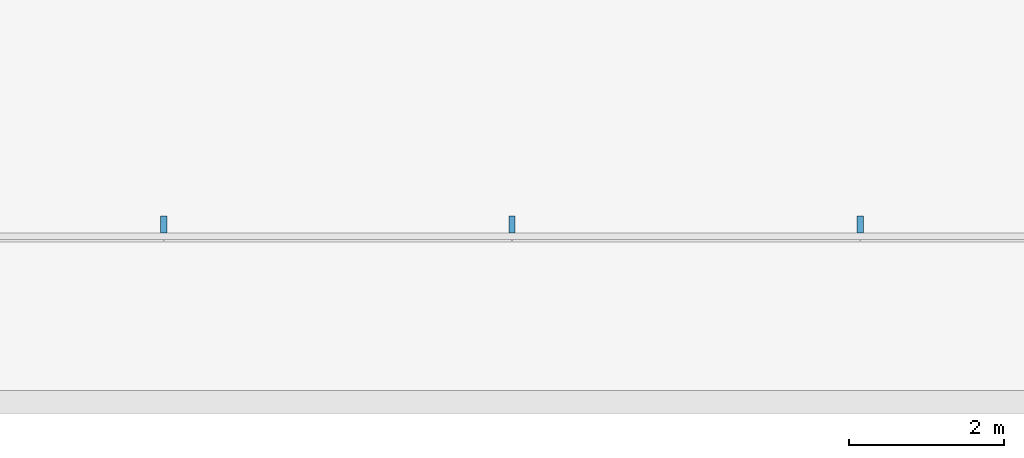
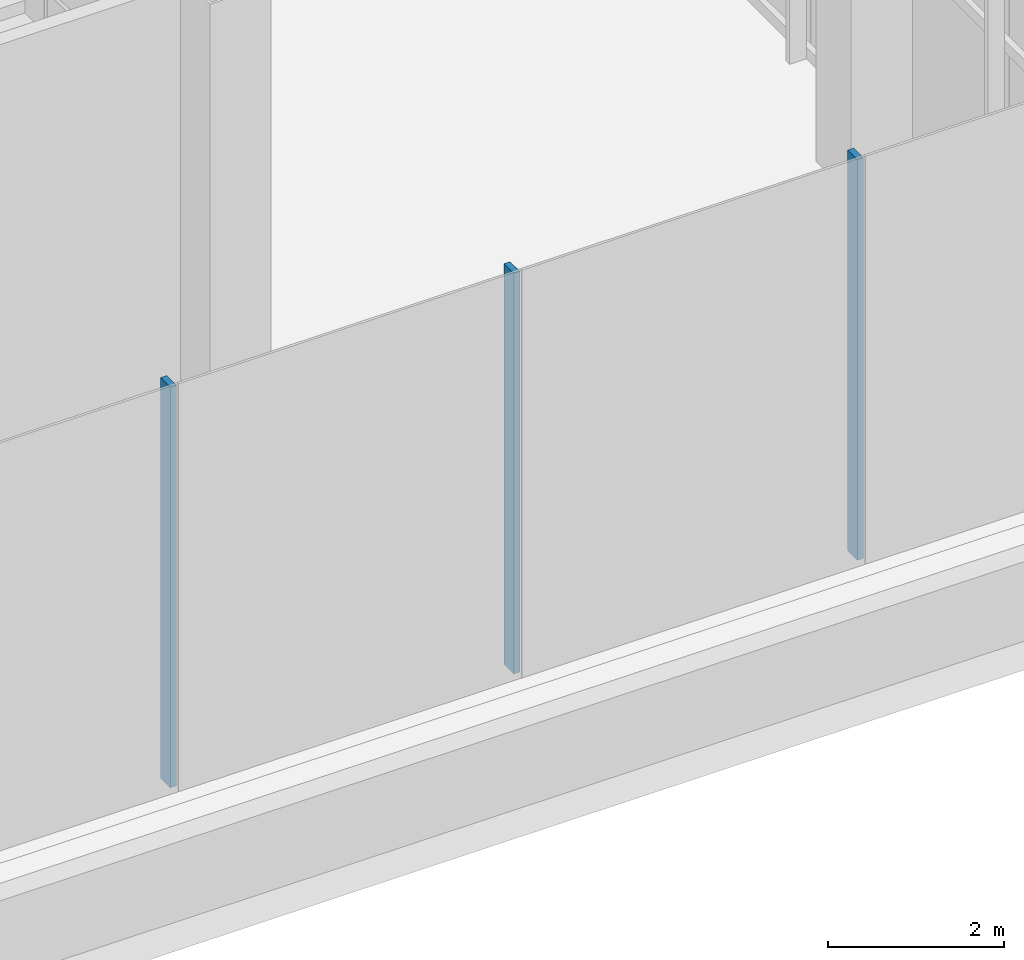
# One storey, part 10 of 38: 3 members, 1 element without a shape of its own.
"""IFC4 building model written with IfcOpenShell, lengths in metres."""

from ifc_helpers import new_model, si_unit, direction, frame, origin, origin_2d, place, context, subcontext, project, spatial, rectangle, extrude, material, layer, layer_set, material_profile, profile_set, type_object, element, aggregate, save


model = new_model("IFC4")

# Units and contexts
model_context = context("Model", 3, precision=1e-05, world=origin(), true_north=direction((0.0, 1.0)))
body_context = subcontext(model_context, "Body", "Model", "MODEL_VIEW")
ifc_project = project(units=[si_unit("LENGTHUNIT", "METRE"), si_unit("AREAUNIT", "SQUARE_METRE"), si_unit("VOLUMEUNIT", "CUBIC_METRE"), si_unit("PLANEANGLEUNIT", "RADIAN"), si_unit("MASSUNIT", "GRAM", prefix="KILO")], contexts=[model_context])

# Site, building, storey
site_placement = place(None, origin())
site = spatial("IfcSite", under=ifc_project, at=site_placement, CompositionType="ELEMENT")
building_placement = place(site_placement, origin())
building = spatial("IfcBuilding", under=site, at=building_placement, Name="Shamsa Quay Exchange Towers", CompositionType="ELEMENT")
storey_placement = place(building_placement, frame((0.0, 0.0, 12.5)))
storey = spatial("IfcBuildingStorey", under=building, at=storey_placement, Name="L02", CompositionType="ELEMENT", Elevation=12.5)

# Curtain wall, members
ifc_material = material(Name="Aluminium EN AW-6063 T6, black anodised", Category="aluminium")
ifc_layer = layer(ifc_material, 0.33203125)
ifc_layer_set = layer_set([ifc_layer], Name="CW-3 PODIUM SHOPFRONT GLAZING")
curtain_wall_type = type_object("IfcCurtainWallType", Name="CW-3 PODIUM SHOPFRONT GLAZING", PredefinedType="NOTDEFINED", material=ifc_layer_set)
curtain_wall_placement = place(storey_placement, origin())
curtain_wall = element("IfcCurtainWall", 1, at=curtain_wall_placement, inside=storey, type_object=curtain_wall_type, Name="CW3 PODIUM-L02-F03", PredefinedType="NOTDEFINED")
ifc_material_profile = material_profile(ifc_material, rectangle(XDim=0.219970703125, YDim=0.080078125, at=origin_2d()), Name="MU80x220")
ifc_profile_set = profile_set([ifc_material_profile], Name="Aluminium EN AW-6063 T6, black anodised")
member_type = type_object("IfcMemberType", Name="CW3 MULLION 80x220", PredefinedType="MULLION", material=ifc_profile_set)
member_1_placement = place(storey_placement, frame((49.5, -35.81005859375, 0.0), z_axis=(0.0, 0.0, 1.0), x_axis=(0.0, 1.0, 0.0)))
member_1 = element("IfcMember", 2, at=member_1_placement, type_object=member_type, Name="CW3 mullion", PredefinedType="MULLION", context=body_context, shape_type="SweptSolid", body=[
    extrude(rectangle(XDim=0.219970703125, YDim=0.080078125, at=origin_2d()), origin(), (0.0, 0.0, 1.0), 5.550048828125),
])
member_2_placement = place(storey_placement, frame((54.0, -35.81005859375, 0.0), z_axis=(0.0, 0.0, 1.0), x_axis=(0.0, 1.0, 0.0)))
member_2 = element("IfcMember", 3, at=member_2_placement, type_object=member_type, Name="CW3 mullion", PredefinedType="MULLION", context=body_context, shape_type="SweptSolid", body=[
    extrude(rectangle(XDim=0.219970703125, YDim=0.080078125, at=origin_2d()), origin(), (0.0, 0.0, 1.0), 5.550048828125),
])
member_3_placement = place(storey_placement, frame((58.5, -35.81005859375, 0.0), z_axis=(0.0, 0.0, 1.0), x_axis=(0.0, 1.0, 0.0)))
member_3 = element("IfcMember", 4, at=member_3_placement, type_object=member_type, Name="CW3 mullion", PredefinedType="MULLION", context=body_context, shape_type="SweptSolid", body=[
    extrude(rectangle(XDim=0.219970703125, YDim=0.080078125, at=origin_2d()), origin(), (0.0, 0.0, 1.0), 5.550048828125),
])
aggregate(curtain_wall, [member_1, member_2, member_3])

save(model, "model.ifc")
